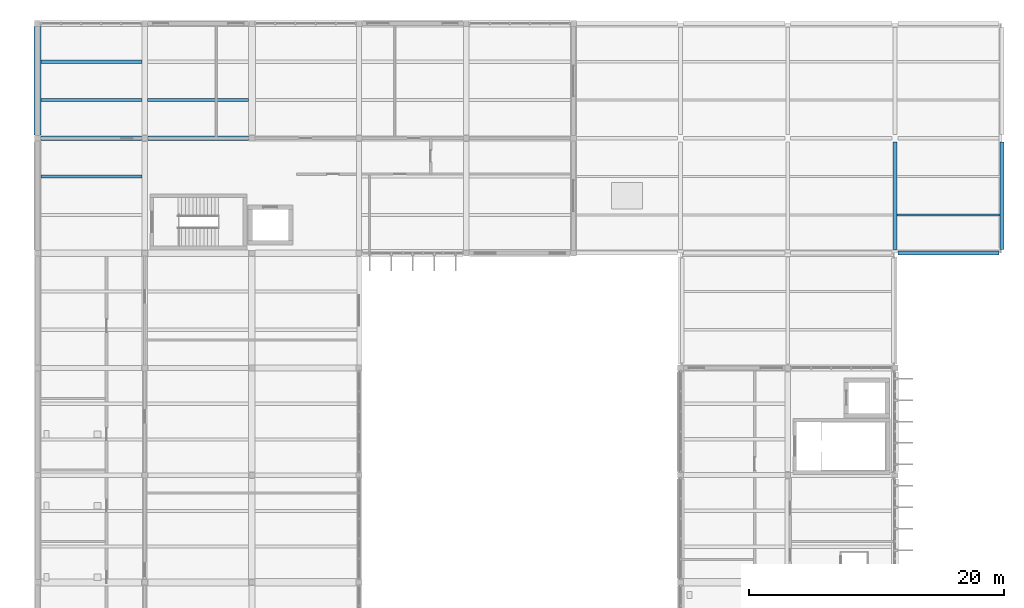
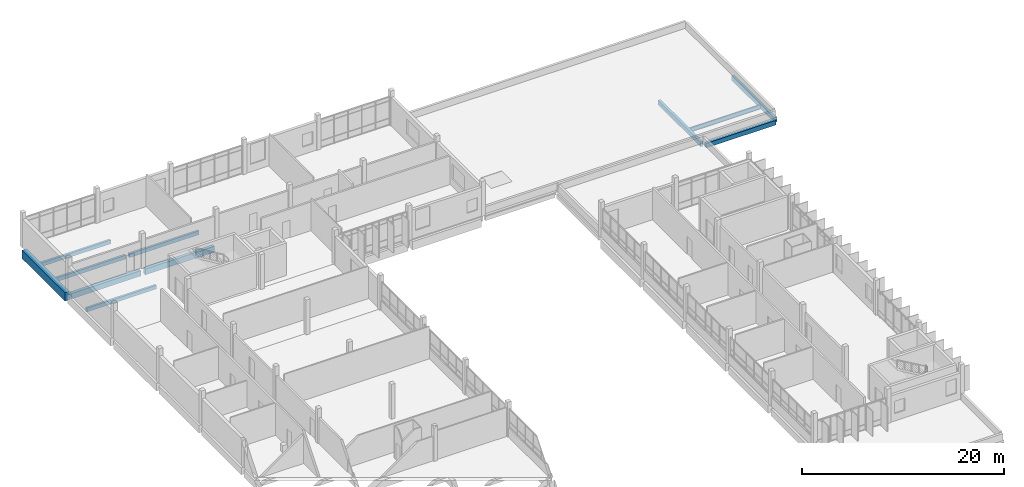
# One storey, part 34 of 62: 11 beams.
"""IFC4 building model written with IfcOpenShell, lengths in metres."""

from ifc_helpers import new_model, si_unit, direction, frame, origin, origin_2d, place, context, subcontext, project, spatial, rectangle, i_section, extrude, material, material_profile, profile_set, type_object, element, save


model = new_model("IFC4")

# Units and contexts
model_context = context("Model", 3, precision=1e-05, world=origin(), true_north=direction((0.0, 1.0)))
body_context = subcontext(model_context, "Body", "Model", "MODEL_VIEW")
ifc_project = project(units=[si_unit("LENGTHUNIT", "METRE"), si_unit("AREAUNIT", "SQUARE_METRE"), si_unit("VOLUMEUNIT", "CUBIC_METRE"), si_unit("PLANEANGLEUNIT", "RADIAN"), si_unit("MASSUNIT", "GRAM", prefix="KILO")], contexts=[model_context])

# Site, building, storey
site_placement = place(None, origin())
site = spatial("IfcSite", under=ifc_project, at=site_placement, CompositionType="ELEMENT")
building_placement = place(site_placement, origin())
building = spatial("IfcBuilding", under=site, at=building_placement, Name="Vireocrest Preparatory School", CompositionType="ELEMENT")
storey_placement = place(building_placement, frame((0.0, 0.0, 17.39990234375)))
storey = spatial("IfcBuildingStorey", under=building, at=storey_placement, Name="L04", CompositionType="ELEMENT", Elevation=17.39990234375)

# Beams
ifc_material_1 = material(Name="Structural steel ASTM A992 Grade 50", Category="steel")
ifc_material_profile_1 = material_profile(ifc_material_1, i_section(OverallWidth=0.166015625, OverallDepth=0.529052734375, WebThickness=0.009765625, FlangeThickness=0.013671875, FilletRadius=0.014892578125, at=origin_2d()), Name="W21X50")
ifc_profile_set_1 = profile_set([ifc_material_profile_1], Name="Structural steel ASTM A992 Grade 50")
beam_type_1 = type_object("IfcBeamType", Name="Pavilion Roof Joist W21X50", PredefinedType="JOIST", material=ifc_profile_set_1)
beam_1_placement = place(storey_placement, frame((109.35009765625, 97.800048828125, -0.484375), z_axis=(1.0, 0.0, 0.0), x_axis=(0.0, 1.0, 0.0)))
element("IfcBeam", 1, at=beam_1_placement, inside=storey, type_object=beam_type_1, Name="Secondary Joist SJ1 L04-1513", PredefinedType="JOIST", context=body_context, shape_type="SweptSolid", body=[
    extrude(i_section(OverallWidth=0.166015625, OverallDepth=0.529052734375, WebThickness=0.009765625, FlangeThickness=0.013671875, FilletRadius=0.014892578125, at=origin_2d()), origin(), (0.0, 0.0, 1.0), 8.099853515625),
])
ifc_material_2 = material(Name="Concrete 40 MPa", Category="concrete")
ifc_material_profile_2 = material_profile(ifc_material_2, rectangle(XDim=0.35009765625, YDim=0.64990234375, at=origin_2d()), Name="RC 350x650")
ifc_profile_set_2 = profile_set([ifc_material_profile_2], Name="Concrete 40 MPa")
beam_type_2 = type_object("IfcBeamType", Name="RC Classroom Girder 350x650", PredefinedType="BEAM", material=ifc_profile_set_2)
beam_2_placement = place(storey_placement, frame((42.25, 103.800048828125, -0.56494140625), z_axis=(1.0, 0.0, 0.0), x_axis=(0.0, 1.0, 0.0)))
element("IfcBeam", 2, at=beam_2_placement, inside=storey, type_object=beam_type_2, Name="Primary Girder B05 L04-1335", PredefinedType="BEAM", context=body_context, shape_type="SweptSolid", body=[
    extrude(rectangle(XDim=0.35009765625, YDim=0.64990234375, at=origin_2d()), origin(), (0.0, 0.0, 1.0), 7.89990234375),
])
ifc_material_profile_3 = material_profile(ifc_material_2, rectangle(XDim=0.550048828125, YDim=1.0, at=origin_2d()), Name="RC 550x1000")
ifc_profile_set_3 = profile_set([ifc_material_profile_3], Name="Concrete 40 MPa")
beam_type_3 = type_object("IfcBeamType", Name="RC Core Coupling Beam 550x1000", PredefinedType="BEAM", material=ifc_profile_set_3)
beam_3_placement = place(storey_placement, frame((42.0, 104.050048828125, -0.739990234375), z_axis=(0.0, 1.0, 0.0), x_axis=(-1.0, 0.0, 0.0)))
element("IfcBeam", 3, at=beam_3_placement, inside=storey, type_object=beam_type_3, Name="Primary Girder B18 L04-1361", PredefinedType="BEAM", context=body_context, shape_type="SweptSolid", body=[
    extrude(rectangle(XDim=0.550048828125, YDim=1.0, at=origin_2d()), origin(), (0.0, 0.0, 1.0), 8.5),
])
ifc_material_profile_4 = material_profile(ifc_material_2, rectangle(XDim=0.35009765625, YDim=0.699951171875, at=origin_2d()), Name="RC 350x700")
ifc_profile_set_4 = profile_set([ifc_material_profile_4], Name="Concrete 40 MPa")
beam_type_4 = type_object("IfcBeamType", Name="RC Laboratory Girder 350x700", PredefinedType="BEAM", material=ifc_profile_set_4)
beam_4_placement = place(storey_placement, frame((50.64990234375, 103.800048828125, -0.58984375), z_axis=(1.0, 0.0, 0.0), x_axis=(0.0, 1.0, 0.0)))
element("IfcBeam", 4, at=beam_4_placement, inside=storey, type_object=beam_type_4, Name="Primary Girder B06 L04-1336", PredefinedType="BEAM", context=body_context, shape_type="SweptSolid", body=[
    extrude(rectangle(XDim=0.35009765625, YDim=0.699951171875, at=origin_2d()), origin(), (0.0, 0.0, 1.0), 7.900146484375),
])
ifc_material_profile_5 = material_profile(ifc_material_2, rectangle(XDim=0.300048828125, YDim=0.550048828125, at=origin_2d()), Name="RC 300x550")
ifc_profile_set_5 = profile_set([ifc_material_profile_5], Name="Concrete 40 MPa")
beam_type_5 = type_object("IfcBeamType", Name="RC Roof Girder 300x550", PredefinedType="BEAM", material=ifc_profile_set_5)
beam_5_placement = place(storey_placement, frame((109.425048828125, 94.800048828125, -0.494873046875), z_axis=(1.0, 0.0, 0.0), x_axis=(0.0, 1.0, 0.0)))
element("IfcBeam", 5, at=beam_5_placement, inside=storey, type_object=beam_type_5, Name="Primary Girder B02 L04-1334", PredefinedType="BEAM", context=body_context, shape_type="SweptSolid", body=[
    extrude(rectangle(XDim=0.300048828125, YDim=0.550048828125, at=origin_2d()), origin(), (0.0, 0.0, 1.0), 7.949951171875),
])
for number, where, z_axis, x_axis, name in (
    (6, (109.199951171875, 95.10009765625, -0.494873046875), (0.0, 1.0, 0.0), (-1.0, 0.0, 0.0), "Primary Girder B02 L04-1417"),
    (7, (117.60009765625, 95.10009765625, -0.494873046875), (0.0, 1.0, 0.0), (-1.0, 0.0, 0.0), "Primary Girder B02 L04-1419"),
):
    element("IfcBeam", number, at=place(storey_placement, frame(where, z_axis=z_axis, x_axis=x_axis)), inside=storey, type_object=beam_type_5, Name=name, PredefinedType="BEAM", context=body_context, shape_type="SweptSolid", body=[
        extrude(rectangle(XDim=0.300048828125, YDim=0.550048828125, at=origin_2d()), origin(), (0.0, 0.0, 1.0), 8.39990234375),
    ])
ifc_material_profile_6 = material_profile(ifc_material_2, rectangle(XDim=0.25, YDim=0.449951171875, at=origin_2d()), Name="RC 250x450")
ifc_profile_set_6 = profile_set([ifc_material_profile_6], Name="Concrete 40 MPa")
beam_type_6 = type_object("IfcBeamType", Name="RC Secondary Floor Joist 250x450", PredefinedType="JOIST", material=ifc_profile_set_6)
for number, where, z_axis, x_axis, name in (
    (8, (42.27490234375, 100.800048828125, -0.46484375), (1.0, 0.0, 0.0), (0.0, 1.0, 0.0), "Secondary Joist J01 L04-1436"),
    (9, (42.27490234375, 106.800048828125, -0.46484375), (1.0, 0.0, 0.0), (0.0, 1.0, 0.0), "Secondary Joist J01 L04-1437"),
    (10, (42.27490234375, 109.800048828125, -0.46484375), (1.0, 0.0, 0.0), (0.0, 1.0, 0.0), "Secondary Joist J01 L04-1438"),
):
    element("IfcBeam", number, at=place(storey_placement, frame(where, z_axis=z_axis, x_axis=x_axis)), inside=storey, type_object=beam_type_6, Name=name, PredefinedType="JOIST", context=body_context, shape_type="SweptSolid", body=[
        extrude(rectangle(XDim=0.25, YDim=0.449951171875, at=origin_2d()), origin(), (0.0, 0.0, 1.0), 7.925048828125),
    ])
beam_6_placement = place(storey_placement, frame((50.60009765625, 106.800048828125, -0.46484375), z_axis=(1.0, 0.0, 0.0), x_axis=(0.0, 1.0, 0.0)))
element("IfcBeam", 11, at=beam_6_placement, inside=storey, type_object=beam_type_6, Name="Secondary Joist J01 L04-1451", PredefinedType="JOIST", context=body_context, shape_type="SweptSolid", body=[
    extrude(rectangle(XDim=0.25, YDim=0.449951171875, at=origin_2d()), origin(), (0.0, 0.0, 1.0), 7.9248046875),
])

save(model, "model.ifc")
